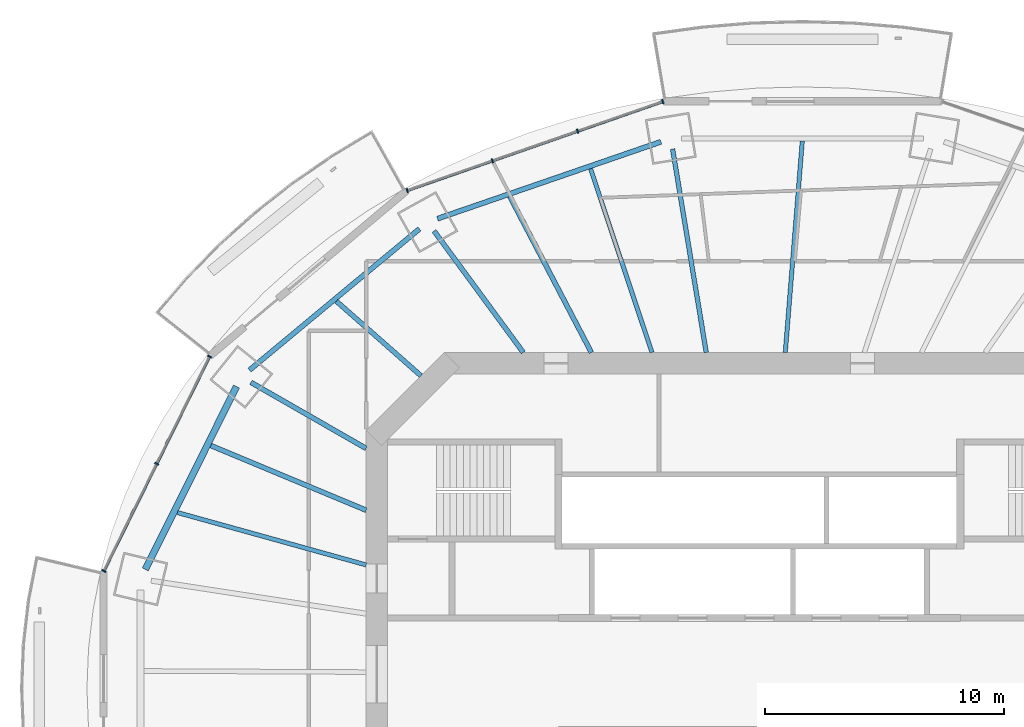
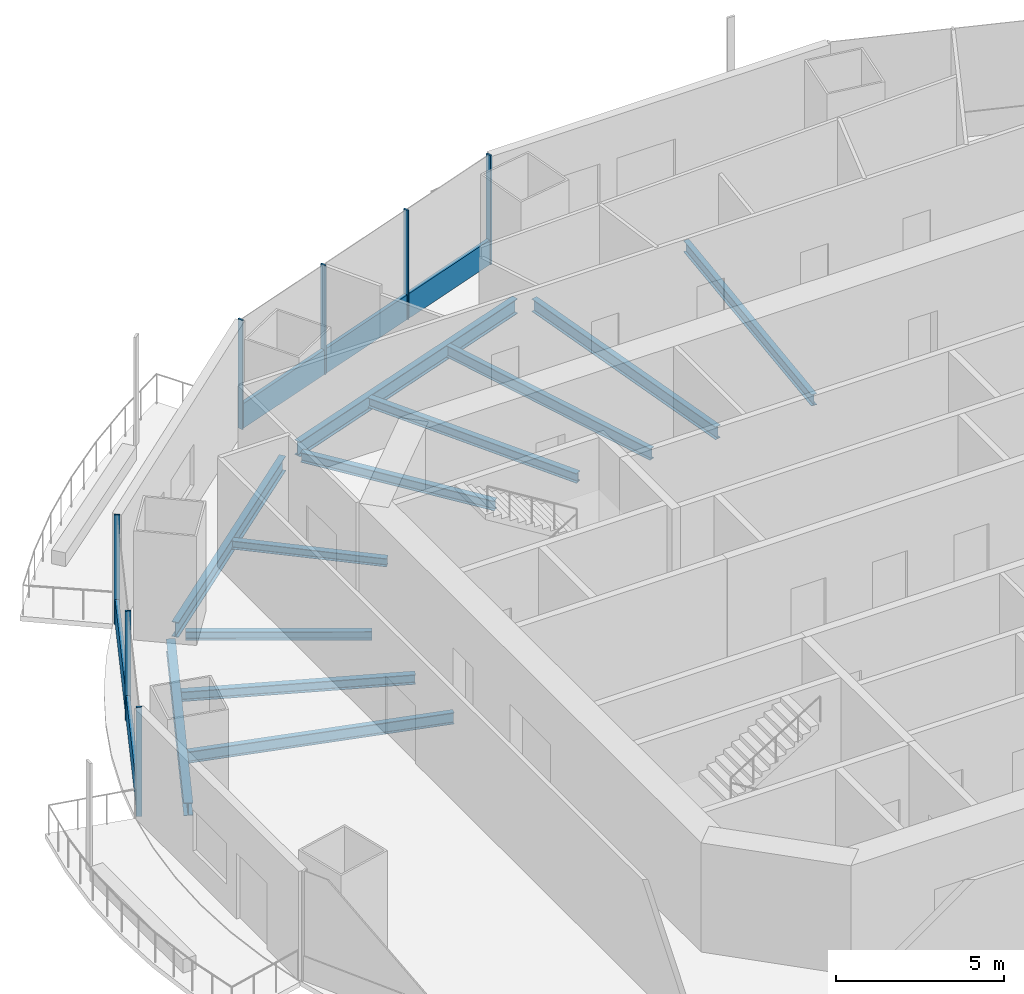
# One storey, part 6 of 19: 12 beams, 9 members, 2 elements without a shape of their own.
"""IFC4 building model written with IfcOpenShell, lengths in metres."""

from ifc_helpers import new_model, si_unit, direction, frame, origin, origin_2d, place, context, subcontext, project, spatial, rectangle, i_section, extrude, material, material_profile, profile_set, type_object, element, aggregate, save


model = new_model("IFC4")

# Units and contexts
model_context = context("Model", 3, precision=1e-05, world=origin(), true_north=direction((0.0, 1.0)))
body_context = subcontext(model_context, "Body", "Model", "MODEL_VIEW")
ifc_project = project(units=[si_unit("LENGTHUNIT", "METRE"), si_unit("AREAUNIT", "SQUARE_METRE"), si_unit("VOLUMEUNIT", "CUBIC_METRE"), si_unit("PLANEANGLEUNIT", "RADIAN"), si_unit("MASSUNIT", "GRAM", prefix="KILO")], contexts=[model_context])

# Site, building, storey
site_placement = place(None, origin())
site = spatial("IfcSite", under=ifc_project, at=site_placement, CompositionType="ELEMENT")
building_placement = place(site_placement, origin())
building = spatial("IfcBuilding", under=site, at=building_placement, Name="Marenthal Gate Tower", CompositionType="ELEMENT")
storey_placement = place(building_placement, frame((0.0, 0.0, 256.5)))
storey = spatial("IfcBuildingStorey", under=building, at=storey_placement, Name="L57", CompositionType="ELEMENT", Elevation=256.5)

# Curtain wall, members
ifc_material_1 = material(Name="Aluminium and glass", Category="aluminium")
curtain_wall_type = type_object("IfcCurtainWallType", Name="Curtain wall typical mid", PredefinedType="NOTDEFINED", material=ifc_material_1)
curtain_wall_1_placement = place(storey_placement, origin())
curtain_wall_1 = element("IfcCurtainWall", 1, at=curtain_wall_1_placement, inside=storey, type_object=curtain_wall_type, Name="Curtain wall L57 bay 5", PredefinedType="NOTDEFINED")
ifc_material_2 = material(Name="Aluminium", Category="aluminium")
ifc_material_profile_1 = material_profile(ifc_material_2, rectangle(XDim=0.179931640625, YDim=0.06005859375, at=origin_2d()), Name="60x180 aluminium mullion")
ifc_profile_set_1 = profile_set([ifc_material_profile_1], Name="Aluminium")
member_type_1 = type_object("IfcMemberType", Name="Mullion 60x180 typical mid", PredefinedType="MULLION", material=ifc_profile_set_1)
member_1_placement = place(storey_placement, frame((-4.042724609375, 23.943115234375, 0.0), z_axis=(0.0, 0.0, 1.0), x_axis=(0.328612003593, -0.944465007872, 0.0)))
member_1 = element("IfcMember", 2, at=member_1_placement, type_object=member_type_1, Name="Mullion L57 bay 5.1", PredefinedType="MULLION", context=body_context, shape_type="SweptSolid", body=[
    extrude(rectangle(XDim=0.179931640625, YDim=0.06005859375, at=origin_2d()), origin(), (0.0, 0.0, 1.0), 3.969970703125),
])
member_2_placement = place(storey_placement, frame((-7.60498046875, 22.70361328125, 0.0), z_axis=(0.0, 0.0, 1.0), x_axis=(0.328612003593, -0.944465007872, 0.0)))
member_2 = element("IfcMember", 3, at=member_2_placement, type_object=member_type_1, Name="Mullion L57 bay 5.2", PredefinedType="MULLION", context=body_context, shape_type="SweptSolid", body=[
    extrude(rectangle(XDim=0.179931640625, YDim=0.06005859375, at=origin_2d()), origin(), (0.0, 0.0, 1.0), 3.969970703125),
])
member_3_placement = place(storey_placement, frame((-11.1669921875, 21.46435546875, 0.0), z_axis=(0.0, 0.0, 1.0), x_axis=(0.328612003593, -0.944465007872, 0.0)))
member_3 = element("IfcMember", 4, at=member_3_placement, type_object=member_type_1, Name="Mullion L57 bay 5.3", PredefinedType="MULLION", context=body_context, shape_type="SweptSolid", body=[
    extrude(rectangle(XDim=0.179931640625, YDim=0.06005859375, at=origin_2d()), origin(), (0.0, 0.0, 1.0), 3.969970703125),
])
member_4_placement = place(storey_placement, frame((-14.729248046875, 20.224853515625, 0.0), z_axis=(0.0, 0.0, 1.0), x_axis=(0.328612003593, -0.944465007872, 0.0)))
member_4 = element("IfcMember", 5, at=member_4_placement, type_object=member_type_1, Name="Mullion L57 bay 5.4", PredefinedType="MULLION", context=body_context, shape_type="SweptSolid", body=[
    extrude(rectangle(XDim=0.179931640625, YDim=0.06005859375, at=origin_2d()), origin(), (0.0, 0.0, 1.0), 3.969970703125),
])

curtain_wall_2_placement = place(storey_placement, origin())
curtain_wall_2 = element("IfcCurtainWall", 6, at=curtain_wall_2_placement, inside=storey, type_object=curtain_wall_type, Name="Curtain wall L57 bay 7", PredefinedType="NOTDEFINED")
member_5_placement = place(storey_placement, frame((-22.99365234375, 13.28125, 0.0), z_axis=(0.0, 0.0, 1.0), x_axis=(0.896882319585, -0.44226926732, 0.0)))
member_5 = element("IfcMember", 7, at=member_5_placement, type_object=member_type_1, Name="Mullion L57 bay 7.1", PredefinedType="MULLION", context=body_context, shape_type="SweptSolid", body=[
    extrude(rectangle(XDim=0.179931640625, YDim=0.06005859375, at=origin_2d()), origin(), (0.0, 0.0, 1.0), 3.969970703125),
])
member_6_placement = place(storey_placement, frame((-25.205322265625, 8.7958984375, 0.0), z_axis=(0.0, 0.0, 1.0), x_axis=(0.896882319585, -0.44226926732, 0.0)))
member_6 = element("IfcMember", 8, at=member_6_placement, type_object=member_type_1, Name="Mullion L57 bay 7.2", PredefinedType="MULLION", context=body_context, shape_type="SweptSolid", body=[
    extrude(rectangle(XDim=0.179931640625, YDim=0.06005859375, at=origin_2d()), origin(), (0.0, 0.0, 1.0), 3.969970703125),
])
member_7_placement = place(storey_placement, frame((-27.4169921875, 4.310791015625, 0.0), z_axis=(0.0, 0.0, 1.0), x_axis=(0.896882319585, -0.44226926732, 0.0)))
member_7 = element("IfcMember", 9, at=member_7_placement, type_object=member_type_1, Name="Mullion L57 bay 7.3", PredefinedType="MULLION", context=body_context, shape_type="SweptSolid", body=[
    extrude(rectangle(XDim=0.179931640625, YDim=0.06005859375, at=origin_2d()), origin(), (0.0, 0.0, 1.0), 3.969970703125),
])

# Member
ifc_material_3 = material(Name="Aluminium", Category="aluminium")
ifc_material_profile_2 = material_profile(ifc_material_3, rectangle(XDim=0.1201171875, YDim=0.89990234375, at=origin_2d()), Name="120x900 aluminium transom")
ifc_profile_set_2 = profile_set([ifc_material_profile_2], Name="Aluminium")
member_type_2 = type_object("IfcMemberType", Name="Transom 120x900 typical mid", PredefinedType="USERDEFINED", material=ifc_profile_set_2)
member_8_placement = place(storey_placement, frame((-4.071044921875, 23.933349609375, 0.449951171875), z_axis=(-0.944458747509, -0.328629995975, 0.0), x_axis=(0.328629995975, -0.944458747509, 0.0)))
member_8 = element("IfcMember", 10, at=member_8_placement, type_object=member_type_2, Name="Transom L57 bay 5", ObjectType="TRANSOM", PredefinedType="USERDEFINED", context=body_context, shape_type="SweptSolid", body=[
    extrude(rectangle(XDim=0.1201171875, YDim=0.89990234375, at=origin_2d()), origin(), (0.0, 0.0, 1.0), 11.2548828125),
])

aggregate(curtain_wall_1, [member_1, member_2, member_3, member_4, member_8])

member_9_placement = place(storey_placement, frame((-23.0068359375, 13.25439453125, 0.449951171875), z_axis=(-0.44226596641, -0.896883947317, 0.0), x_axis=(0.896883947317, -0.44226596641, 0.0)))
member_9 = element("IfcMember", 11, at=member_9_placement, type_object=member_type_2, Name="Transom L57 bay 7", ObjectType="TRANSOM", PredefinedType="USERDEFINED", context=body_context, shape_type="SweptSolid", body=[
    extrude(rectangle(XDim=0.1201171875, YDim=0.89990234375, at=origin_2d()), origin(), (0.0, 0.0, 1.0), 9.94189453125),
])

aggregate(curtain_wall_2, [member_5, member_6, member_7, member_9])

# Beams
ifc_material_4 = material(Name="Steel S355", Category="steel")
ifc_material_profile_3 = material_profile(ifc_material_4, i_section(OverallWidth=0.202880859375, OverallDepth=0.302001953125, WebThickness=0.007568359375, FlangeThickness=0.01318359375, FilletRadius=0.0126953125, at=origin_2d()), Name="W310X60")
ifc_profile_set_3 = profile_set([ifc_material_profile_3], Name="Steel S355")
beam_type_1 = type_object("IfcBeamType", Name="W310X60 beam", PredefinedType="BEAM", material=ifc_profile_set_3)
beam_1_placement = place(storey_placement, frame((-17.692626953125, 15.5947265625, -0.3310546875), z_axis=(0.750161328075, -0.661254853941, 0.0), x_axis=(0.661254853941, 0.750161328075, 0.0)))
element("IfcBeam", 12, at=beam_1_placement, inside=storey, type_object=beam_type_1, Name="BM-L57-25", PredefinedType="BEAM", context=body_context, shape_type="SweptSolid", body=[
    extrude(i_section(OverallWidth=0.202880859375, OverallDepth=0.302001953125, WebThickness=0.007568359375, FlangeThickness=0.01318359375, FilletRadius=0.0126953125, at=origin_2d()), origin(), (0.0, 0.0, 1.0), 4.712158203125),
])
ifc_material_5 = material(Name="Steel S355", Category="steel")
ifc_material_profile_4 = material_profile(ifc_material_5, i_section(OverallWidth=0.205078125, OverallDepth=0.31005859375, WebThickness=0.009521484375, FlangeThickness=0.016357421875, FilletRadius=0.0126953125, at=origin_2d()), Name="W310X74")
ifc_profile_set_4 = profile_set([ifc_material_profile_4], Name="Steel S355")
beam_type_2 = type_object("IfcBeamType", Name="W310X74 beam", PredefinedType="BEAM", material=ifc_profile_set_4)
beam_2_placement = place(storey_placement, frame((-21.26611328125, 12.200439453125, -0.3349609375), z_axis=(0.86740037099, -0.497610888553, 0.0), x_axis=(0.497610888553, 0.86740037099, 0.0)))
element("IfcBeam", 13, at=beam_2_placement, inside=storey, type_object=beam_type_2, Name="BM-L57-07", PredefinedType="BEAM", context=body_context, shape_type="SweptSolid", body=[
    extrude(i_section(OverallWidth=0.205078125, OverallDepth=0.31005859375, WebThickness=0.009521484375, FlangeThickness=0.016357421875, FilletRadius=0.0126953125, at=origin_2d()), origin(), (0.0, 0.0, 1.0), 5.552490234375),
])
ifc_material_6 = material(Name="Steel S355", Category="steel")
ifc_material_profile_5 = material_profile(ifc_material_6, i_section(OverallWidth=0.205078125, OverallDepth=0.35302734375, WebThickness=0.009521484375, FlangeThickness=0.016845703125, FilletRadius=0.014892578125, at=origin_2d()), Name="W360X79")
ifc_profile_set_5 = profile_set([ifc_material_profile_5], Name="Steel S355")
beam_type_3 = type_object("IfcBeamType", Name="W360X79 beam", PredefinedType="BEAM", material=ifc_profile_set_5)
beam_3_placement = place(storey_placement, frame((-13.60888671875, 18.532470703125, -0.3564453125), z_axis=(0.591878847572, -0.806026941111, 0.0), x_axis=(0.806026941111, 0.591878847572, 0.0)))
element("IfcBeam", 14, at=beam_3_placement, inside=storey, type_object=beam_type_3, Name="BM-L57-06", PredefinedType="BEAM", context=body_context, shape_type="SweptSolid", body=[
    extrude(i_section(OverallWidth=0.205078125, OverallDepth=0.35302734375, WebThickness=0.009521484375, FlangeThickness=0.016845703125, FilletRadius=0.014892578125, at=origin_2d()), origin(), (0.0, 0.0, 1.0), 6.3056640625),
])
beam_4_placement = place(storey_placement, frame((-10.43896484375, 19.9736328125, -0.3564453125), z_axis=(0.463181387721, -0.886263506001, 0.0), x_axis=(0.886263506001, 0.463181387721, 0.0)))
element("IfcBeam", 15, at=beam_4_placement, inside=storey, type_object=beam_type_3, Name="BM-L57-24", PredefinedType="BEAM", context=body_context, shape_type="SweptSolid", body=[
    extrude(i_section(OverallWidth=0.205078125, OverallDepth=0.35302734375, WebThickness=0.009521484375, FlangeThickness=0.016845703125, FilletRadius=0.014892578125, at=origin_2d()), origin(), (0.0, 0.0, 1.0), 7.36083984375),
])
beam_5_placement = place(storey_placement, frame((-22.9423828125, 9.558349609375, -0.3564453125), z_axis=(0.923094380789, -0.384573483427, 0.0), x_axis=(0.384573483427, 0.923094380789, 0.0)))
element("IfcBeam", 16, at=beam_5_placement, inside=storey, type_object=beam_type_3, Name="BM-L57-26", PredefinedType="BEAM", context=body_context, shape_type="SweptSolid", body=[
    extrude(i_section(OverallWidth=0.205078125, OverallDepth=0.35302734375, WebThickness=0.009521484375, FlangeThickness=0.016845703125, FilletRadius=0.014892578125, at=origin_2d()), origin(), (0.0, 0.0, 1.0), 7.033447265625),
])
ifc_material_7 = material(Name="Steel S355", Category="steel")
ifc_material_profile_6 = material_profile(ifc_material_7, i_section(OverallWidth=0.180908203125, OverallDepth=0.4169921875, WebThickness=0.010986328125, FlangeThickness=0.018310546875, FilletRadius=0.01025390625, at=origin_2d()), Name="W410X85")
ifc_profile_set_6 = profile_set([ifc_material_profile_6], Name="Steel S355")
beam_type_4 = type_object("IfcBeamType", Name="W410X85 beam", PredefinedType="BEAM", material=ifc_profile_set_6)
beam_6_placement = place(storey_placement, frame((1.79150390625, 22.29736328125, -0.388427734375), z_axis=(-0.080097240618, -0.996787054513, 0.0), x_axis=(0.996787054513, -0.080097240618, 0.0)))
element("IfcBeam", 17, at=beam_6_placement, inside=storey, type_object=beam_type_4, Name="BM-L57-22", PredefinedType="BEAM", context=body_context, shape_type="SweptSolid", body=[
    extrude(i_section(OverallWidth=0.180908203125, OverallDepth=0.4169921875, WebThickness=0.010986328125, FlangeThickness=0.018310546875, FilletRadius=0.01025390625, at=origin_2d()), origin(), (0.0, 0.0, 1.0), 8.8759765625),
])
beam_7_placement = place(storey_placement, frame((-7.063720703125, 21.135498046875, -0.388427734375), z_axis=(0.316977857113, -0.948432938114, 0.0), x_axis=(0.948432938114, 0.316977857113, 0.0)))
element("IfcBeam", 18, at=beam_7_placement, inside=storey, type_object=beam_type_4, Name="BM-L57-23", PredefinedType="BEAM", context=body_context, shape_type="SweptSolid", body=[
    extrude(i_section(OverallWidth=0.180908203125, OverallDepth=0.4169921875, WebThickness=0.010986328125, FlangeThickness=0.018310546875, FilletRadius=0.01025390625, at=origin_2d()), origin(), (0.0, 0.0, 1.0), 8.103515625),
])
beam_8_placement = place(storey_placement, frame((-24.339111328125, 6.755859375, -0.388427734375), z_axis=(0.963564887166, -0.267474687067, 0.0), x_axis=(0.267474687067, 0.963564887166, 0.0)))
element("IfcBeam", 19, at=beam_8_placement, inside=storey, type_object=beam_type_4, Name="BM-L57-27", PredefinedType="BEAM", context=body_context, shape_type="SweptSolid", body=[
    extrude(i_section(OverallWidth=0.180908203125, OverallDepth=0.4169921875, WebThickness=0.010986328125, FlangeThickness=0.018310546875, FilletRadius=0.01025390625, at=origin_2d()), origin(), (0.0, 0.0, 1.0), 8.1875),
])
ifc_material_8 = material(Name="Steel S355", Category="steel")
ifc_material_profile_7 = material_profile(ifc_material_8, i_section(OverallWidth=0.279052734375, OverallDepth=0.4619140625, WebThickness=0.0107421875, FlangeThickness=0.017333984375, FilletRadius=0.010009765625, at=origin_2d()), Name="W460X113")
ifc_profile_set_7 = profile_set([ifc_material_profile_7], Name="Steel S355")
beam_type_5 = type_object("IfcBeamType", Name="W460X113 beam", PredefinedType="BEAM", material=ifc_profile_set_7)
beam_9_placement = place(storey_placement, frame((-21.865966796875, 12.030517578125, -0.410888671875), z_axis=(-0.446082541832, -0.894991824472, 0.0), x_axis=(0.894991824472, -0.446082541832, 0.0)))
element("IfcBeam", 20, at=beam_9_placement, inside=storey, type_object=beam_type_5, Name="BM-L57-47", PredefinedType="BEAM", context=body_context, shape_type="SweptSolid", body=[
    extrude(i_section(OverallWidth=0.279052734375, OverallDepth=0.4619140625, WebThickness=0.0107421875, FlangeThickness=0.017333984375, FilletRadius=0.010009765625, at=origin_2d()), origin(), (0.0, 0.0, 1.0), 8.550537109375),
])
ifc_material_9 = material(Name="Steel S355", Category="steel")
ifc_material_profile_8 = material_profile(ifc_material_9, i_section(OverallWidth=0.193115234375, OverallDepth=0.467041015625, WebThickness=0.011474609375, FlangeThickness=0.01904296875, FilletRadius=0.010009765625, at=origin_2d()), Name="W460X97")
ifc_profile_set_8 = profile_set([ifc_material_profile_8], Name="Steel S355")
beam_type_6 = type_object("IfcBeamType", Name="W460X97 beam", PredefinedType="BEAM", material=ifc_profile_set_8)
beam_10_placement = place(storey_placement, frame((-3.632568359375, 21.959228515625, -0.41357421875), z_axis=(0.163214591052, -0.98659059253, 0.0), x_axis=(0.98659059253, 0.163214591052, 0.0)))
element("IfcBeam", 21, at=beam_10_placement, inside=storey, type_object=beam_type_6, Name="BM-L57-05", PredefinedType="BEAM", context=body_context, shape_type="SweptSolid", body=[
    extrude(i_section(OverallWidth=0.193115234375, OverallDepth=0.467041015625, WebThickness=0.011474609375, FlangeThickness=0.01904296875, FilletRadius=0.010009765625, at=origin_2d()), origin(), (0.0, 0.0, 1.0), 8.625),
])
ifc_material_10 = material(Name="Steel S355", Category="steel")
ifc_material_profile_9 = material_profile(ifc_material_10, i_section(OverallWidth=0.2119140625, OverallDepth=0.5439453125, WebThickness=0.01318359375, FlangeThickness=0.021240234375, FilletRadius=0.0126953125, at=origin_2d()), Name="W530X123")
ifc_profile_set_9 = profile_set([ifc_material_profile_9], Name="Steel S355")
beam_type_7 = type_object("IfcBeamType", Name="W530X123 beam", PredefinedType="BEAM", material=ifc_profile_set_9)
beam_11_placement = place(storey_placement, frame((-4.120361328125, 22.2607421875, -0.451904296875), z_axis=(-0.945544815575, -0.325491938056, 0.0), x_axis=(0.325491938056, -0.945544815575, 0.0)))
element("IfcBeam", 22, at=beam_11_placement, inside=storey, type_object=beam_type_7, Name="BM-L57-45", PredefinedType="BEAM", context=body_context, shape_type="SweptSolid", body=[
    extrude(i_section(OverallWidth=0.2119140625, OverallDepth=0.5439453125, WebThickness=0.01318359375, FlangeThickness=0.021240234375, FilletRadius=0.0126953125, at=origin_2d()), origin(), (0.0, 0.0, 1.0), 9.882080078125),
])
beam_12_placement = place(storey_placement, frame((-14.21923828125, 18.619140625, -0.451904296875), z_axis=(-0.769104243953, -0.639123354239, 0.0), x_axis=(0.639123354239, -0.769104243953, 0.0)))
element("IfcBeam", 23, at=beam_12_placement, inside=storey, type_object=beam_type_7, Name="BM-L57-46", PredefinedType="BEAM", context=body_context, shape_type="SweptSolid", body=[
    extrude(i_section(OverallWidth=0.2119140625, OverallDepth=0.5439453125, WebThickness=0.01318359375, FlangeThickness=0.021240234375, FilletRadius=0.0126953125, at=origin_2d()), origin(), (0.0, 0.0, 1.0), 9.2392578125),
])

save(model, "model.ifc")
